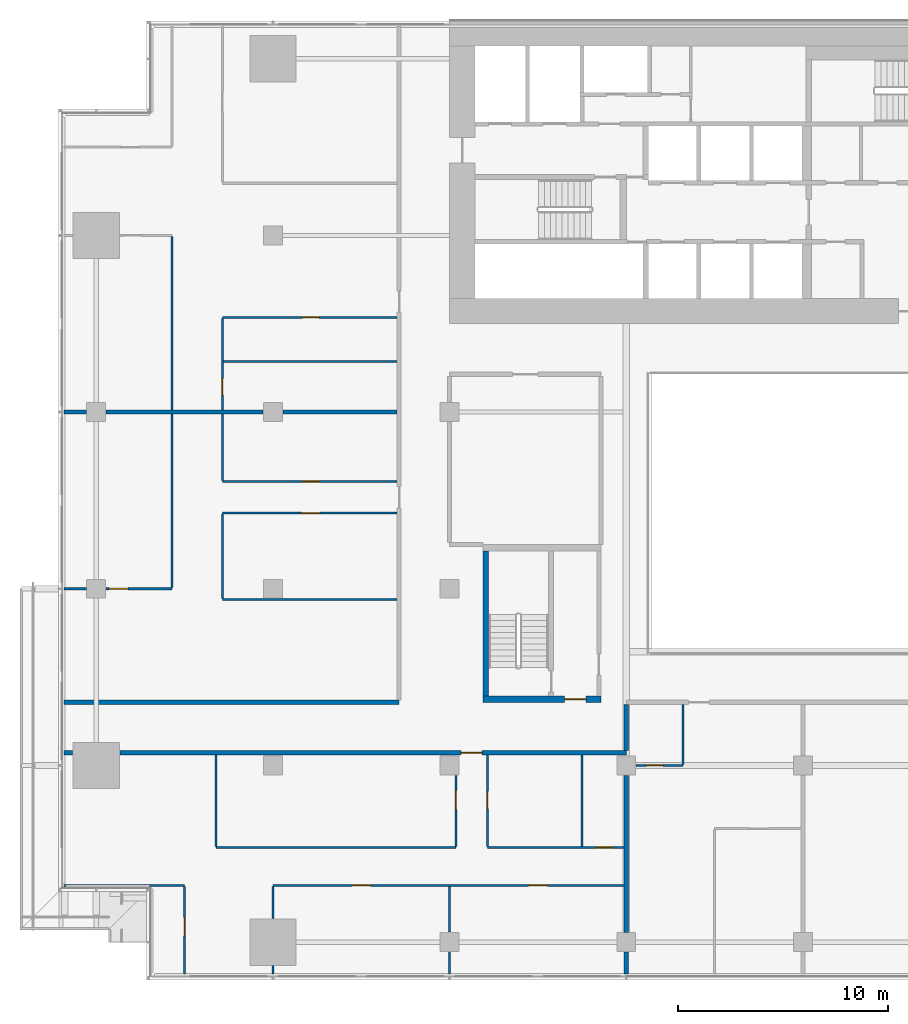
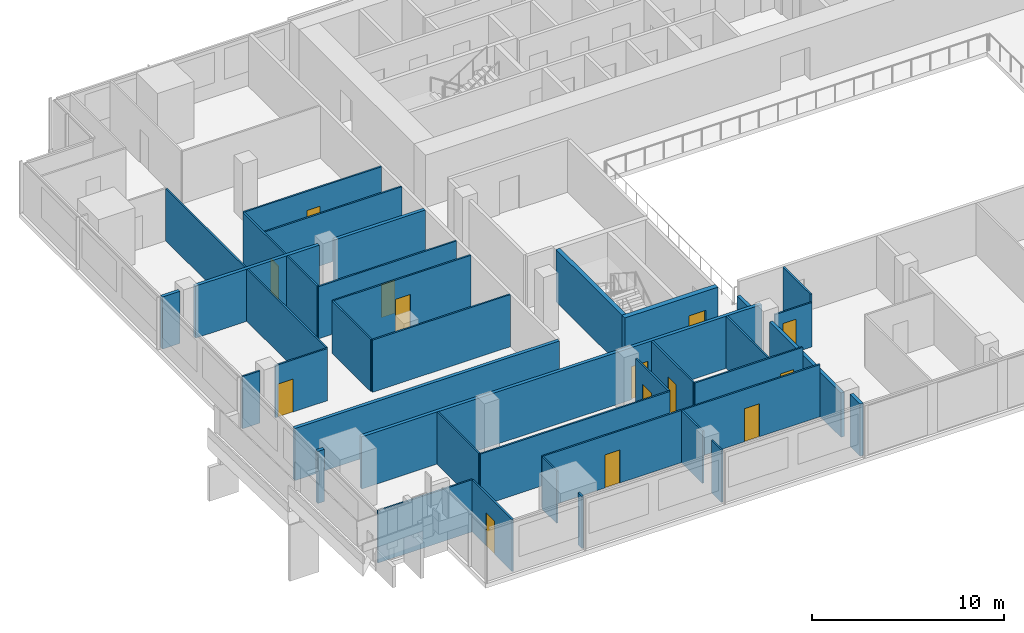
# One storey, part 16 of 27: 38 walls, 14 doors, 14 openings.
"""IFC4 building model written with IfcOpenShell, lengths in metres."""

from ifc_helpers import new_model, si_unit, direction, frame, frame_2d, origin, place, context, subcontext, project, spatial, rectangle, extrude, material, layer, layer_set, type_object, element, fill, save


model = new_model("IFC4")

# Units and contexts
model_context = context("Model", 3, precision=1e-05, world=origin(), true_north=direction((0.0, 1.0)))
body_context = subcontext(model_context, "Body", "Model", "MODEL_VIEW")
ifc_project = project(units=[si_unit("LENGTHUNIT", "METRE"), si_unit("AREAUNIT", "SQUARE_METRE"), si_unit("VOLUMEUNIT", "CUBIC_METRE"), si_unit("PLANEANGLEUNIT", "RADIAN"), si_unit("MASSUNIT", "GRAM", prefix="KILO")], contexts=[model_context])

# Site, building, storey
site_placement = place(None, origin())
site = spatial("IfcSite", under=ifc_project, at=site_placement, CompositionType="ELEMENT")
building_placement = place(site_placement, origin())
building = spatial("IfcBuilding", under=site, at=building_placement, Name="Saffron Gate Tower", CompositionType="ELEMENT")
storey_placement = place(building_placement, frame((0.0, 0.0, 76.800048828125)))
storey = spatial("IfcBuildingStorey", under=building, at=storey_placement, Name="L18", CompositionType="ELEMENT", Elevation=76.800048828125)

# Wall
ifc_material_1 = material(Name="Concrete C70", Category="concrete")
ifc_layer_1 = layer(ifc_material_1, 0.25)
ifc_layer_set_1 = layer_set([ifc_layer_1], Name="CW2 RC core wall 250 C70")
wall_type_1 = type_object("IfcWallType", Name="CW2 RC core wall 250 C70", PredefinedType="SOLIDWALL", material=ifc_layer_set_1)
wall_1_placement = place(storey_placement, frame((68.324951171875, 43.5, 0.0), z_axis=(0.0, 0.0, 1.0), x_axis=(0.0, 1.0, 0.0)))
element("IfcWall", 1, at=wall_1_placement, inside=storey, type_object=wall_type_1, Name="Wall CW2-L18-D-2", PredefinedType="SOLIDWALL", context=body_context, shape_type="SweptSolid", body=[
    extrude(rectangle(XDim=6.89990234375, YDim=0.25, at=frame_2d((3.449951171875, 0.0))), origin(), (0.0, 0.0, 1.0), 3.320068359375),
])

# Wall, opening, door
ifc_layer_2 = layer(ifc_material_1, 0.300048828125)
ifc_layer_set_2 = layer_set([ifc_layer_2], Name="CW5 RC core wall 300 C70")
wall_type_2 = type_object("IfcWallType", Name="CW5 RC core wall 300 C70", PredefinedType="SOLIDWALL", material=ifc_layer_set_2)
wall_2_placement = place(storey_placement, frame((68.199951171875, 43.35009765625, 0.0), z_axis=(0.0, 0.0, 1.0), x_axis=(1.0, 0.0, 0.0)))
wall_2 = element("IfcWall", 2, at=wall_2_placement, inside=storey, type_object=wall_type_2, Name="Wall CW5-L18-D-1", PredefinedType="SOLIDWALL", context=body_context, shape_type="SweptSolid", body=[
    extrude(rectangle(XDim=5.60009765625, YDim=0.300048828125, at=frame_2d((2.800048828125, 0.0))), origin(), (0.0, 0.0, 1.0), 3.320068359375),
])
opening_1_placement = place(wall_2_placement, frame((3.875, 0.0, 0.0)))
opening_1 = element("IfcOpeningElement", 3, at=opening_1_placement, cuts=wall_2, Name="Opening CR-18", PredefinedType="OPENING", context=body_context, shape_type="SweptSolid", body=[
    extrude(rectangle(XDim=1.0, YDim=2.10009765625, at=frame_2d((0.5, 1.050048828125))), frame((0.0, 0.16015625, 0.0), z_axis=(0.0, -1.0, 0.0), x_axis=(1.0, 0.0, 0.0)), (0.0, 0.0, 1.0), 0.320068359375),
])
ifc_material_2 = material(Name="Steel fire door set", Category="steel")
door_type_1 = type_object("IfcDoorType", Name="CD4 Lobby door 1000x2100 EI 120", OperationType="NOTDEFINED", PredefinedType="DOOR", material=ifc_material_2)
door_1_placement = place(opening_1_placement, origin())
door_1 = element("IfcDoor", 4, at=door_1_placement, inside=storey, type_object=door_type_1, Name="DOOR CR-18", OperationType="SINGLE_SWING_RIGHT", OverallHeight=2.10009765625, OverallWidth=1.0, PredefinedType="DOOR", context=body_context, shape_type="SweptSolid", body=[
    extrude(rectangle(XDim=1.0, YDim=2.10009765625, at=frame_2d((0.5, 1.050048828125))), frame((0.0, 0.02490234375, 0.0), z_axis=(0.0, -1.0, 0.0), x_axis=(1.0, 0.0, 0.0)), (0.0, 0.0, 1.0), 0.050048828125),
])
fill(opening_1, door_1)

# Wall
ifc_material_3 = material(Name="Plasterboard on steel studs", Category="steel")
ifc_layer_3 = layer(ifc_material_3, 0.10009765625)
ifc_layer_set_3 = layer_set([ifc_layer_3], Name="PW1 Partition 100")
wall_type_3 = type_object("IfcWallType", Name="PW1 Partition 100", PredefinedType="PARTITIONING", material=ifc_layer_set_3)
wall_3_placement = place(storey_placement, frame((48.280029296875, 34.5, 0.0), z_axis=(0.0, 0.0, 1.0), x_axis=(1.0, 0.0, 0.0)))
element("IfcWall", 5, at=wall_3_placement, inside=storey, type_object=wall_type_3, Name="Partition A4-1", PredefinedType="PARTITIONING", context=body_context, shape_type="SweptSolid", body=[
    extrude(rectangle(XDim=5.719970703125, YDim=0.10009765625, at=frame_2d((2.85986328125, 0.0))), origin(), (0.0, 0.0, 1.0), 3.320068359375),
])

# Wall, openings, doors
wall_4_placement = place(storey_placement, frame((74.89990234375, 34.5, 0.0), z_axis=(0.0, 0.0, 1.0), x_axis=(-1.0, 0.0, 0.0)))
wall_4 = element("IfcWall", 6, at=wall_4_placement, inside=storey, type_object=wall_type_3, Name="Partition A4-2", PredefinedType="PARTITIONING", context=body_context, shape_type="SweptSolid", body=[
    extrude(rectangle(XDim=16.699951171875, YDim=0.10009765625, at=frame_2d((8.35009765625, 0.0))), origin(), (0.0, 0.0, 1.0), 3.320068359375),
])
opening_2_placement = place(wall_4_placement, frame((3.64990234375, 0.0, 0.0)))
opening_2 = element("IfcOpeningElement", 7, at=opening_2_placement, cuts=wall_4, Name="Opening A4-11", PredefinedType="OPENING", context=body_context, shape_type="SweptSolid", body=[
    extrude(rectangle(XDim=0.89990234375, YDim=2.10009765625, at=frame_2d((0.449951171875, 1.050048828125))), frame((0.0, 0.06005859375, 0.0), z_axis=(0.0, -1.0, 0.0), x_axis=(1.0, 0.0, 0.0)), (0.0, 0.0, 1.0), 0.1201171875),
])
opening_3_placement = place(wall_4_placement, frame((12.050048828125, 0.0, 0.0)))
opening_3 = element("IfcOpeningElement", 8, at=opening_3_placement, cuts=wall_4, Name="Opening A4-10", PredefinedType="OPENING", context=body_context, shape_type="SweptSolid", body=[
    extrude(rectangle(XDim=0.89990234375, YDim=2.10009765625, at=frame_2d((0.449951171875, 1.050048828125))), frame((0.0, 0.06005859375, 0.0), z_axis=(0.0, -1.0, 0.0), x_axis=(1.0, 0.0, 0.0)), (0.0, 0.0, 1.0), 0.1201171875),
])
ifc_material_4 = material(Name="Timber door set", Category="wood")
door_type_2 = type_object("IfcDoorType", Name="RD1 Room door 900x2100", OperationType="NOTDEFINED", PredefinedType="DOOR", material=ifc_material_4)
door_2_placement = place(opening_2_placement, origin())
door_2 = element("IfcDoor", 9, at=door_2_placement, inside=storey, type_object=door_type_2, Name="Door A4-11", OperationType="SINGLE_SWING_LEFT", OverallHeight=2.10009765625, OverallWidth=0.89990234375, PredefinedType="DOOR", context=body_context, shape_type="SweptSolid", body=[
    extrude(rectangle(XDim=0.89990234375, YDim=2.10009765625, at=frame_2d((0.449951171875, 1.050048828125))), frame((0.0, 0.02490234375, 0.0), z_axis=(0.0, -1.0, 0.0), x_axis=(1.0, 0.0, 0.0)), (0.0, 0.0, 1.0), 0.050048828125),
])
fill(opening_2, door_2)
door_3_placement = place(opening_3_placement, origin())
door_3 = element("IfcDoor", 10, at=door_3_placement, inside=storey, type_object=door_type_2, Name="Door A4-10", OperationType="SINGLE_SWING_RIGHT", OverallHeight=2.10009765625, OverallWidth=0.89990234375, PredefinedType="DOOR", context=body_context, shape_type="SweptSolid", body=[
    extrude(rectangle(XDim=0.89990234375, YDim=2.10009765625, at=frame_2d((0.449951171875, 1.050048828125))), frame((0.0, 0.02490234375, 0.0), z_axis=(0.0, -1.0, 0.0), x_axis=(1.0, 0.0, 0.0)), (0.0, 0.0, 1.0), 0.050048828125),
])
fill(opening_3, door_3)

# Wall
wall_5_placement = place(storey_placement, frame((55.5, 36.300048828125, 0.0), z_axis=(0.0, 0.0, 1.0), x_axis=(1.0, 0.0, 0.0)))
element("IfcWall", 11, at=wall_5_placement, inside=storey, type_object=wall_type_3, Name="Partition A4-4", PredefinedType="PARTITIONING", context=body_context, shape_type="SweptSolid", body=[
    extrude(rectangle(XDim=11.39990234375, YDim=0.10009765625, at=frame_2d((5.699951171875, 0.0))), origin(), (0.0, 0.0, 1.0), 3.320068359375),
])

# Wall, opening, door
wall_6_placement = place(storey_placement, frame((68.39990234375, 36.300048828125, 0.0), z_axis=(0.0, 0.0, 1.0), x_axis=(1.0, 0.0, 0.0)))
wall_6 = element("IfcWall", 12, at=wall_6_placement, inside=storey, type_object=wall_type_3, Name="Partition A4-5", PredefinedType="PARTITIONING", context=body_context, shape_type="SweptSolid", body=[
    extrude(rectangle(XDim=6.5, YDim=0.10009765625, at=frame_2d((3.25, 0.0))), origin(), (0.0, 0.0, 1.0), 3.320068359375),
])
opening_4_placement = place(wall_6_placement, frame((5.14990234375, 0.0, 0.0)))
opening_4 = element("IfcOpeningElement", 13, at=opening_4_placement, cuts=wall_6, Name="Opening A4-35", PredefinedType="OPENING", context=body_context, shape_type="SweptSolid", body=[
    extrude(rectangle(XDim=0.800048828125, YDim=2.10009765625, at=frame_2d((0.39990234375, 1.050048828125))), frame((0.0, 0.06005859375, 0.0), z_axis=(0.0, -1.0, 0.0), x_axis=(1.0, 0.0, 0.0)), (0.0, 0.0, 1.0), 0.1201171875),
])
door_type_3 = type_object("IfcDoorType", Name="RD2 Bathroom door 800x2100", OperationType="NOTDEFINED", PredefinedType="DOOR", material=ifc_material_4)
door_4_placement = place(opening_4_placement, origin())
door_4 = element("IfcDoor", 14, at=door_4_placement, inside=storey, type_object=door_type_3, Name="Door A4-35", OperationType="SINGLE_SWING_RIGHT", OverallHeight=2.10009765625, OverallWidth=0.800048828125, PredefinedType="DOOR", context=body_context, shape_type="SweptSolid", body=[
    extrude(rectangle(XDim=0.800048828125, YDim=2.10009765625, at=frame_2d((0.39990234375, 1.050048828125))), frame((0.0, 0.02490234375, 0.0), z_axis=(0.0, -1.0, 0.0), x_axis=(1.0, 0.0, 0.0)), (0.0, 0.0, 1.0), 0.050048828125),
])
fill(opening_4, door_4)

wall_7_placement = place(storey_placement, frame((75.469970703125, 40.199951171875, 0.0), z_axis=(0.0, 0.0, 1.0), x_axis=(1.0, 0.0, 0.0)))
wall_7 = element("IfcWall", 15, at=wall_7_placement, inside=storey, type_object=wall_type_3, Name="Partition A4-9", PredefinedType="PARTITIONING", context=body_context, shape_type="SweptSolid", body=[
    extrude(rectangle(XDim=2.22998046875, YDim=0.10009765625, at=frame_2d((1.114990234375, 0.0))), origin(), (0.0, 0.0, 1.0), 2.829833984375),
])
opening_5_placement = place(wall_7_placement, frame((0.47998046875, 0.0, 0.0)))
opening_5 = element("IfcOpeningElement", 16, at=opening_5_placement, cuts=wall_7, Name="Opening A4-36", PredefinedType="OPENING", context=body_context, shape_type="SweptSolid", body=[
    extrude(rectangle(XDim=0.800048828125, YDim=2.10009765625, at=frame_2d((0.39990234375, 1.050048828125))), frame((0.0, 0.06005859375, 0.0), z_axis=(0.0, -1.0, 0.0), x_axis=(1.0, 0.0, 0.0)), (0.0, 0.0, 1.0), 0.1201171875),
])
door_5_placement = place(opening_5_placement, origin())
door_5 = element("IfcDoor", 17, at=door_5_placement, inside=storey, type_object=door_type_3, Name="Door A4-36", OperationType="SINGLE_SWING_LEFT", OverallHeight=2.10009765625, OverallWidth=0.800048828125, PredefinedType="DOOR", context=body_context, shape_type="SweptSolid", body=[
    extrude(rectangle(XDim=0.800048828125, YDim=2.10009765625, at=frame_2d((0.39990234375, 1.050048828125))), frame((0.0, 0.02490234375, 0.0), z_axis=(0.0, -1.0, 0.0), x_axis=(1.0, 0.0, 0.0)), (0.0, 0.0, 1.0), 0.050048828125),
])
fill(opening_5, door_5)

# Walls
wall_8_placement = place(storey_placement, frame((55.800048828125, 48.0810546875, 0.0), z_axis=(0.0, 0.0, 1.0), x_axis=(1.0, 0.0, 0.0)))
element("IfcWall", 18, at=wall_8_placement, inside=storey, type_object=wall_type_3, Name="Partition A4-18", PredefinedType="PARTITIONING", context=body_context, shape_type="SweptSolid", body=[
    extrude(rectangle(XDim=8.300048828125, YDim=0.10009765625, at=frame_2d((4.14990234375, 0.0))), origin(), (0.0, 0.0, 1.0), 3.320068359375),
])
wall_9_placement = place(storey_placement, frame((48.280029296875, 48.60009765625, 0.0), z_axis=(0.0, 0.0, 1.0), x_axis=(1.0, 0.0, 0.0)))
element("IfcWall", 19, at=wall_9_placement, inside=storey, type_object=wall_type_3, Name="Partition A4-19", PredefinedType="PARTITIONING", context=body_context, shape_type="SweptSolid", body=[
    extrude(rectangle(XDim=1.050048828125, YDim=0.10009765625, at=frame_2d((0.52490234375, 0.0))), origin(), (0.0, 0.0, 1.0), 3.320068359375),
])

# Wall, opening, door
wall_10_placement = place(storey_placement, frame((50.27001953125, 48.60009765625, 0.0), z_axis=(0.0, 0.0, 1.0), x_axis=(1.0, 0.0, 0.0)))
wall_10 = element("IfcWall", 20, at=wall_10_placement, inside=storey, type_object=wall_type_3, Name="Partition A4-20", PredefinedType="PARTITIONING", context=body_context, shape_type="SweptSolid", body=[
    extrude(rectangle(XDim=3.1298828125, YDim=0.10009765625, at=frame_2d((1.56494140625, 0.0))), origin(), (0.0, 0.0, 1.0), 3.320068359375),
])
opening_6_placement = place(wall_10_placement, frame((0.14990234375, 0.0, 0.0)))
opening_6 = element("IfcOpeningElement", 21, at=opening_6_placement, cuts=wall_10, Name="Opening A4-23", PredefinedType="OPENING", context=body_context, shape_type="SweptSolid", body=[
    extrude(rectangle(XDim=0.89990234375, YDim=2.10009765625, at=frame_2d((0.449951171875, 1.050048828125))), frame((0.0, 0.06005859375, 0.0), z_axis=(0.0, -1.0, 0.0), x_axis=(1.0, 0.0, 0.0)), (0.0, 0.0, 1.0), 0.1201171875),
])
door_6_placement = place(opening_6_placement, origin())
door_6 = element("IfcDoor", 22, at=door_6_placement, inside=storey, type_object=door_type_2, Name="Door A4-23", OperationType="SINGLE_SWING_LEFT", OverallHeight=2.10009765625, OverallWidth=0.89990234375, PredefinedType="DOOR", context=body_context, shape_type="SweptSolid", body=[
    extrude(rectangle(XDim=0.89990234375, YDim=2.10009765625, at=frame_2d((0.449951171875, 1.050048828125))), frame((0.0, 0.02490234375, 0.0), z_axis=(0.0, -1.0, 0.0), x_axis=(1.0, 0.0, 0.0)), (0.0, 0.0, 1.0), 0.050048828125),
])
fill(opening_6, door_6)

wall_11_placement = place(storey_placement, frame((64.10009765625, 52.199951171875, 0.0), z_axis=(0.0, 0.0, 1.0), x_axis=(-1.0, 0.0, 0.0)))
wall_11 = element("IfcWall", 23, at=wall_11_placement, inside=storey, type_object=wall_type_3, Name="Partition A4-25", PredefinedType="PARTITIONING", context=body_context, shape_type="SweptSolid", body=[
    extrude(rectangle(XDim=8.300048828125, YDim=0.10009765625, at=frame_2d((4.14990234375, 0.0))), origin(), (0.0, 0.0, 1.0), 3.320068359375),
])
opening_7_placement = place(wall_11_placement, frame((3.64990234375, 0.0, 0.0)))
opening_7 = element("IfcOpeningElement", 24, at=opening_7_placement, cuts=wall_11, Name="Opening A4-24", PredefinedType="OPENING", context=body_context, shape_type="SweptSolid", body=[
    extrude(rectangle(XDim=0.89990234375, YDim=2.10009765625, at=frame_2d((0.449951171875, 1.050048828125))), frame((0.0, 0.06005859375, 0.0), z_axis=(0.0, -1.0, 0.0), x_axis=(1.0, 0.0, 0.0)), (0.0, 0.0, 1.0), 0.1201171875),
])
door_7_placement = place(opening_7_placement, origin())
door_7 = element("IfcDoor", 25, at=door_7_placement, inside=storey, type_object=door_type_2, Name="Door A4-24", OperationType="SINGLE_SWING_LEFT", OverallHeight=2.10009765625, OverallWidth=0.89990234375, PredefinedType="DOOR", context=body_context, shape_type="SweptSolid", body=[
    extrude(rectangle(XDim=0.89990234375, YDim=2.10009765625, at=frame_2d((0.449951171875, 1.050048828125))), frame((0.0, 0.02490234375, 0.0), z_axis=(0.0, -1.0, 0.0), x_axis=(1.0, 0.0, 0.0)), (0.0, 0.0, 1.0), 0.050048828125),
])
fill(opening_7, door_7)

wall_12_placement = place(storey_placement, frame((55.800048828125, 53.699951171875, 0.0), z_axis=(0.0, 0.0, 1.0), x_axis=(1.0, 0.0, 0.0)))
wall_12 = element("IfcWall", 26, at=wall_12_placement, inside=storey, type_object=wall_type_3, Name="Partition A4-26", PredefinedType="PARTITIONING", context=body_context, shape_type="SweptSolid", body=[
    extrude(rectangle(XDim=8.300048828125, YDim=0.10009765625, at=frame_2d((4.14990234375, 0.0))), origin(), (0.0, 0.0, 1.0), 3.320068359375),
])
opening_8_placement = place(wall_12_placement, frame((3.800048828125, 0.0, 0.0)))
opening_8 = element("IfcOpeningElement", 27, at=opening_8_placement, cuts=wall_12, Name="Opening A4-40", PredefinedType="OPENING", context=body_context, shape_type="SweptSolid", body=[
    extrude(rectangle(XDim=0.800048828125, YDim=2.10009765625, at=frame_2d((0.39990234375, 1.050048828125))), frame((0.0, 0.06005859375, 0.0), z_axis=(0.0, -1.0, 0.0), x_axis=(1.0, 0.0, 0.0)), (0.0, 0.0, 1.0), 0.1201171875),
])
door_8_placement = place(opening_8_placement, origin())
door_8 = element("IfcDoor", 28, at=door_8_placement, inside=storey, type_object=door_type_3, Name="Door A4-40", OperationType="SINGLE_SWING_RIGHT", OverallHeight=2.10009765625, OverallWidth=0.800048828125, PredefinedType="DOOR", context=body_context, shape_type="SweptSolid", body=[
    extrude(rectangle(XDim=0.800048828125, YDim=2.10009765625, at=frame_2d((0.39990234375, 1.050048828125))), frame((0.0, 0.02490234375, 0.0), z_axis=(0.0, -1.0, 0.0), x_axis=(1.0, 0.0, 0.0)), (0.0, 0.0, 1.0), 0.050048828125),
])
fill(opening_8, door_8)

# Wall
wall_13_placement = place(storey_placement, frame((55.85009765625, 59.39990234375, 0.0), z_axis=(0.0, 0.0, 1.0), x_axis=(1.0, 0.0, 0.0)))
element("IfcWall", 29, at=wall_13_placement, inside=storey, type_object=wall_type_3, Name="Partition A4-38", PredefinedType="PARTITIONING", context=body_context, shape_type="SweptSolid", body=[
    extrude(rectangle(XDim=8.25, YDim=0.10009765625, at=frame_2d((4.125, 0.0))), origin(), (0.0, 0.0, 1.0), 3.320068359375),
])

# Wall, opening, door
wall_14_placement = place(storey_placement, frame((64.10009765625, 61.5, 0.0), z_axis=(0.0, 0.0, 1.0), x_axis=(-1.0, 0.0, 0.0)))
wall_14 = element("IfcWall", 30, at=wall_14_placement, inside=storey, type_object=wall_type_3, Name="Partition A4-39", PredefinedType="PARTITIONING", context=body_context, shape_type="SweptSolid", body=[
    extrude(rectangle(XDim=8.300048828125, YDim=0.10009765625, at=frame_2d((4.14990234375, 0.0))), origin(), (0.0, 0.0, 1.0), 3.320068359375),
])
opening_9_placement = place(wall_14_placement, frame((3.699951171875, 0.0, 0.0)))
opening_9 = element("IfcOpeningElement", 31, at=opening_9_placement, cuts=wall_14, Name="Opening A4-42", PredefinedType="OPENING", context=body_context, shape_type="SweptSolid", body=[
    extrude(rectangle(XDim=0.800048828125, YDim=2.10009765625, at=frame_2d((0.39990234375, 1.050048828125))), frame((0.0, 0.06005859375, 0.0), z_axis=(0.0, -1.0, 0.0), x_axis=(1.0, 0.0, 0.0)), (0.0, 0.0, 1.0), 0.1201171875),
])
door_9_placement = place(opening_9_placement, origin())
door_9 = element("IfcDoor", 32, at=door_9_placement, inside=storey, type_object=door_type_3, Name="Door A4-42", OperationType="SINGLE_SWING_LEFT", OverallHeight=2.10009765625, OverallWidth=0.800048828125, PredefinedType="DOOR", context=body_context, shape_type="SweptSolid", body=[
    extrude(rectangle(XDim=0.800048828125, YDim=2.10009765625, at=frame_2d((0.39990234375, 1.050048828125))), frame((0.0, 0.02490234375, 0.0), z_axis=(0.0, -1.0, 0.0), x_axis=(1.0, 0.0, 0.0)), (0.0, 0.0, 1.0), 0.050048828125),
])
fill(opening_9, door_9)

wall_15_placement = place(storey_placement, frame((54.0, 30.280029296875, 0.0), z_axis=(0.0, 0.0, 1.0), x_axis=(0.0, 1.0, 0.0)))
wall_15 = element("IfcWall", 33, at=wall_15_placement, inside=storey, type_object=wall_type_3, Name="Partition A4-51", PredefinedType="PARTITIONING", context=body_context, shape_type="SweptSolid", body=[
    extrude(rectangle(XDim=4.169921875, YDim=0.10009765625, at=frame_2d((2.0849609375, 0.0))), origin(), (0.0, 0.0, 1.0), 3.320068359375),
])
opening_10_placement = place(wall_15_placement, frame((1.802734375, 0.0, 0.0)))
opening_10 = element("IfcOpeningElement", 34, at=opening_10_placement, cuts=wall_15, Name="Opening A4-9", PredefinedType="OPENING", context=body_context, shape_type="SweptSolid", body=[
    extrude(rectangle(XDim=0.89990234375, YDim=2.10009765625, at=frame_2d((0.449951171875, 1.050048828125))), frame((0.0, 0.06005859375, 0.0), z_axis=(0.0, -1.0, 0.0), x_axis=(1.0, 0.0, 0.0)), (0.0, 0.0, 1.0), 0.1201171875),
])
door_10_placement = place(opening_10_placement, origin())
door_10 = element("IfcDoor", 35, at=door_10_placement, inside=storey, type_object=door_type_2, Name="Door A4-9", OperationType="SINGLE_SWING_RIGHT", OverallHeight=2.10009765625, OverallWidth=0.89990234375, PredefinedType="DOOR", context=body_context, shape_type="SweptSolid", body=[
    extrude(rectangle(XDim=0.89990234375, YDim=2.10009765625, at=frame_2d((0.449951171875, 1.050048828125))), frame((0.0, 0.02490234375, 0.0), z_axis=(0.0, -1.0, 0.0), x_axis=(1.0, 0.0, 0.0)), (0.0, 0.0, 1.0), 0.050048828125),
])
fill(opening_10, door_10)

# Walls
wall_16_placement = place(storey_placement, frame((55.5, 40.699951171875, 0.0), z_axis=(0.0, 0.0, 1.0), x_axis=(0.0, -1.0, 0.0)))
element("IfcWall", 36, at=wall_16_placement, inside=storey, type_object=wall_type_3, Name="Partition A4-52", PredefinedType="PARTITIONING", context=body_context, shape_type="SweptSolid", body=[
    extrude(rectangle(XDim=4.349853515625, YDim=0.10009765625, at=frame_2d((2.1748046875, 0.0))), origin(), (0.0, 0.0, 1.0), 3.320068359375),
])
wall_17_placement = place(storey_placement, frame((55.800048828125, 52.14990234375, 0.0), z_axis=(0.0, 0.0, 1.0), x_axis=(0.0, -1.0, 0.0)))
element("IfcWall", 37, at=wall_17_placement, inside=storey, type_object=wall_type_3, Name="Partition A4-53", PredefinedType="PARTITIONING", context=body_context, shape_type="SweptSolid", body=[
    extrude(rectangle(XDim=4.018798828125, YDim=0.10009765625, at=frame_2d((2.00927734375, 0.0))), origin(), (0.0, 0.0, 1.0), 3.320068359375),
])
wall_18_placement = place(storey_placement, frame((58.199951171875, 30.679931640625, 0.0), z_axis=(0.0, 0.0, 1.0), x_axis=(0.0, -1.0, 0.0)))
element("IfcWall", 38, at=wall_18_placement, inside=storey, type_object=wall_type_3, Name="Partition A4-55", PredefinedType="PARTITIONING", context=body_context, shape_type="SweptSolid", body=[
    extrude(rectangle(XDim=0.39990234375, YDim=0.10009765625, at=frame_2d((0.199951171875, 0.0))), origin(), (0.0, 0.0, 1.0), 3.320068359375),
])
wall_19_placement = place(storey_placement, frame((58.199951171875, 34.449951171875, 0.0), z_axis=(0.0, 0.0, 1.0), x_axis=(0.0, -1.0, 0.0)))
element("IfcWall", 39, at=wall_19_placement, inside=storey, type_object=wall_type_3, Name="Partition A4-56", PredefinedType="PARTITIONING", context=body_context, shape_type="SweptSolid", body=[
    extrude(rectangle(XDim=1.530029296875, YDim=0.10009765625, at=frame_2d((0.76513671875, 0.0))), origin(), (0.0, 0.0, 1.0), 3.320068359375),
])
wall_20_placement = place(storey_placement, frame((66.60009765625, 31.330078125, 0.0), z_axis=(0.0, 0.0, 1.0), x_axis=(0.0, -1.0, 0.0)))
element("IfcWall", 40, at=wall_20_placement, inside=storey, type_object=wall_type_3, Name="Partition A4-60", PredefinedType="PARTITIONING", context=body_context, shape_type="SweptSolid", body=[
    extrude(rectangle(XDim=1.050048828125, YDim=0.10009765625, at=frame_2d((0.52490234375, 0.0))), origin(), (0.0, 0.0, 1.0), 3.320068359375),
])
wall_21_placement = place(storey_placement, frame((66.60009765625, 34.449951171875, 0.0), z_axis=(0.0, 0.0, 1.0), x_axis=(0.0, -1.0, 0.0)))
element("IfcWall", 41, at=wall_21_placement, inside=storey, type_object=wall_type_3, Name="Partition A4-61", PredefinedType="PARTITIONING", context=body_context, shape_type="SweptSolid", body=[
    extrude(rectangle(XDim=2.179931640625, YDim=0.10009765625, at=frame_2d((1.08984375, 0.0))), origin(), (0.0, 0.0, 1.0), 3.320068359375),
])

# Wall, opening, door
wall_22_placement = place(storey_placement, frame((66.89990234375, 36.35009765625, 0.0), z_axis=(0.0, 0.0, 1.0), x_axis=(0.0, 1.0, 0.0)))
wall_22 = element("IfcWall", 42, at=wall_22_placement, inside=storey, type_object=wall_type_3, Name="Partition A4-62", PredefinedType="PARTITIONING", context=body_context, shape_type="SweptSolid", body=[
    extrude(rectangle(XDim=3.3798828125, YDim=0.10009765625, at=frame_2d((1.68994140625, 0.0))), origin(), (0.0, 0.0, 1.0), 3.320068359375),
])
opening_11_placement = place(wall_22_placement, frame((1.75, 0.0, 0.0)))
opening_11 = element("IfcOpeningElement", 43, at=opening_11_placement, cuts=wall_22, Name="Opening A4-12", PredefinedType="OPENING", context=body_context, shape_type="SweptSolid", body=[
    extrude(rectangle(XDim=0.89990234375, YDim=2.10009765625, at=frame_2d((0.449951171875, 1.050048828125))), frame((0.0, 0.06005859375, 0.0), z_axis=(0.0, -1.0, 0.0), x_axis=(1.0, 0.0, 0.0)), (0.0, 0.0, 1.0), 0.1201171875),
])
door_11_placement = place(opening_11_placement, origin())
door_11 = element("IfcDoor", 44, at=door_11_placement, inside=storey, type_object=door_type_2, Name="Door A4-12", OperationType="SINGLE_SWING_RIGHT", OverallHeight=2.10009765625, OverallWidth=0.89990234375, PredefinedType="DOOR", context=body_context, shape_type="SweptSolid", body=[
    extrude(rectangle(XDim=0.89990234375, YDim=2.10009765625, at=frame_2d((0.449951171875, 1.050048828125))), frame((0.0, 0.02490234375, 0.0), z_axis=(0.0, -1.0, 0.0), x_axis=(1.0, 0.0, 0.0)), (0.0, 0.0, 1.0), 0.050048828125),
])
fill(opening_11, door_11)

wall_23_placement = place(storey_placement, frame((68.39990234375, 40.699951171875, 0.0), z_axis=(0.0, 0.0, 1.0), x_axis=(0.0, -1.0, 0.0)))
wall_23 = element("IfcWall", 45, at=wall_23_placement, inside=storey, type_object=wall_type_3, Name="Partition A4-63", PredefinedType="PARTITIONING", context=body_context, shape_type="SweptSolid", body=[
    extrude(rectangle(XDim=4.349853515625, YDim=0.10009765625, at=frame_2d((2.1748046875, 0.0))), origin(), (0.0, 0.0, 1.0), 3.320068359375),
])
opening_12_placement = place(wall_23_placement, frame((1.75, 0.0, 0.0)))
opening_12 = element("IfcOpeningElement", 46, at=opening_12_placement, cuts=wall_23, Name="Opening A4-34", PredefinedType="OPENING", context=body_context, shape_type="SweptSolid", body=[
    extrude(rectangle(XDim=0.800048828125, YDim=2.10009765625, at=frame_2d((0.39990234375, 1.050048828125))), frame((0.0, 0.06005859375, 0.0), z_axis=(0.0, -1.0, 0.0), x_axis=(1.0, 0.0, 0.0)), (0.0, 0.0, 1.0), 0.1201171875),
])
door_12_placement = place(opening_12_placement, origin())
door_12 = element("IfcDoor", 47, at=door_12_placement, inside=storey, type_object=door_type_3, Name="Door A4-34", OperationType="SINGLE_SWING_LEFT", OverallHeight=2.10009765625, OverallWidth=0.800048828125, PredefinedType="DOOR", context=body_context, shape_type="SweptSolid", body=[
    extrude(rectangle(XDim=0.800048828125, YDim=2.10009765625, at=frame_2d((0.39990234375, 1.050048828125))), frame((0.0, 0.02490234375, 0.0), z_axis=(0.0, -1.0, 0.0), x_axis=(1.0, 0.0, 0.0)), (0.0, 0.0, 1.0), 0.050048828125),
])
fill(opening_12, door_12)

# Walls
wall_24_placement = place(storey_placement, frame((72.89990234375, 40.699951171875, 0.0), z_axis=(0.0, 0.0, 1.0), x_axis=(0.0, -1.0, 0.0)))
element("IfcWall", 48, at=wall_24_placement, inside=storey, type_object=wall_type_3, Name="Partition A4-64", PredefinedType="PARTITIONING", context=body_context, shape_type="SweptSolid", body=[
    extrude(rectangle(XDim=4.349853515625, YDim=0.10009765625, at=frame_2d((2.1748046875, 0.0))), origin(), (0.0, 0.0, 1.0), 3.320068359375),
])
wall_25_placement = place(storey_placement, frame((77.699951171875, 43.10009765625, 0.0), z_axis=(0.0, 0.0, 1.0), x_axis=(0.0, -1.0, 0.0)))
element("IfcWall", 49, at=wall_25_placement, inside=storey, type_object=wall_type_3, Name="Partition A4-69", PredefinedType="PARTITIONING", context=body_context, shape_type="SweptSolid", body=[
    extrude(rectangle(XDim=2.85009765625, YDim=0.10009765625, at=frame_2d((1.425048828125, 0.0))), origin(), (0.0, 0.0, 1.0), 3.320068359375),
])
for number, where, z_axis, x_axis, name in (
    (50, (53.39990234375, 56.89990234375, 0.0), (0.0, 0.0, 1.0), (0.0, -1.0, 0.0), "Partition A4-105"),
    (51, (53.39990234375, 65.35009765625, 0.0), (0.0, 0.0, 1.0), (0.0, -1.0, 0.0), "Partition A4-106"),
):
    element("IfcWall", number, at=place(storey_placement, frame(where, z_axis=z_axis, x_axis=x_axis)), inside=storey, type_object=wall_type_3, Name=name, PredefinedType="PARTITIONING", context=body_context, shape_type="SweptSolid", body=[
        extrude(rectangle(XDim=8.25, YDim=0.10009765625, at=frame_2d((4.125, 0.0))), origin(), (0.0, 0.0, 1.0), 3.320068359375),
    ])
wall_26_placement = place(storey_placement, frame((55.800048828125, 56.89990234375, 0.0), z_axis=(0.0, 0.0, 1.0), x_axis=(0.0, -1.0, 0.0)))
element("IfcWall", 52, at=wall_26_placement, inside=storey, type_object=wall_type_3, Name="Partition A4-107", PredefinedType="PARTITIONING", context=body_context, shape_type="SweptSolid", body=[
    extrude(rectangle(XDim=3.14990234375, YDim=0.10009765625, at=frame_2d((1.574951171875, 0.0))), origin(), (0.0, 0.0, 1.0), 3.320068359375),
])

# Wall, opening, door
wall_27_placement = place(storey_placement, frame((55.800048828125, 61.449951171875, 0.0), z_axis=(0.0, 0.0, 1.0), x_axis=(0.0, -1.0, 0.0)))
wall_27 = element("IfcWall", 53, at=wall_27_placement, inside=storey, type_object=wall_type_3, Name="Partition A4-108", PredefinedType="PARTITIONING", context=body_context, shape_type="SweptSolid", body=[
    extrude(rectangle(XDim=4.349853515625, YDim=0.10009765625, at=frame_2d((2.1748046875, 0.0))), origin(), (0.0, 0.0, 1.0), 3.320068359375),
])
opening_13_placement = place(wall_27_placement, frame((2.85009765625, 0.0, 0.0)))
opening_13 = element("IfcOpeningElement", 54, at=opening_13_placement, cuts=wall_27, Name="Opening A4-41", PredefinedType="OPENING", context=body_context, shape_type="SweptSolid", body=[
    extrude(rectangle(XDim=0.800048828125, YDim=2.10009765625, at=frame_2d((0.39990234375, 1.050048828125))), frame((0.0, 0.06005859375, 0.0), z_axis=(0.0, -1.0, 0.0), x_axis=(1.0, 0.0, 0.0)), (0.0, 0.0, 1.0), 0.1201171875),
])
door_13_placement = place(opening_13_placement, origin())
door_13 = element("IfcDoor", 55, at=door_13_placement, inside=storey, type_object=door_type_3, Name="Door A4-41", OperationType="SINGLE_SWING_RIGHT", OverallHeight=2.10009765625, OverallWidth=0.800048828125, PredefinedType="DOOR", context=body_context, shape_type="SweptSolid", body=[
    extrude(rectangle(XDim=0.800048828125, YDim=2.10009765625, at=frame_2d((0.39990234375, 1.050048828125))), frame((0.0, 0.02490234375, 0.0), z_axis=(0.0, -1.0, 0.0), x_axis=(1.0, 0.0, 0.0)), (0.0, 0.0, 1.0), 0.050048828125),
])
fill(opening_13, door_13)

# Walls
ifc_material_5 = material(Name="Clay brick masonry, rendered", Category="masonry")
ifc_layer_4 = layer(ifc_material_5, 0.199951171875)
ifc_layer_set_4 = layer_set([ifc_layer_4], Name="PW2 Demising wall 200")
wall_type_4 = type_object("IfcWallType", Name="PW2 Demising wall 200", PredefinedType="PARTITIONING", material=ifc_layer_set_4)
wall_28_placement = place(storey_placement, frame((48.280029296875, 57.0, 0.0), z_axis=(0.0, 0.0, 1.0), x_axis=(1.0, 0.0, 0.0)))
element("IfcWall", 56, at=wall_28_placement, inside=storey, type_object=wall_type_4, Name="Wall A4-30", PredefinedType="PARTITIONING", context=body_context, shape_type="SweptSolid", body=[
    extrude(rectangle(XDim=1.050048828125, YDim=0.199951171875, at=frame_2d((0.52490234375, 0.0))), origin(), (0.0, 0.0, 1.0), 3.320068359375),
])
wall_29_placement = place(storey_placement, frame((50.27001953125, 57.0, 0.0), z_axis=(0.0, 0.0, 1.0), x_axis=(1.0, 0.0, 0.0)))
element("IfcWall", 57, at=wall_29_placement, inside=storey, type_object=wall_type_4, Name="Wall A4-31", PredefinedType="PARTITIONING", context=body_context, shape_type="SweptSolid", body=[
    extrude(rectangle(XDim=7.4599609375, YDim=0.199951171875, at=frame_2d((3.72998046875, 0.0))), origin(), (0.0, 0.0, 1.0), 3.320068359375),
])
wall_30_placement = place(storey_placement, frame((58.669921875, 57.0, 0.0), z_axis=(0.0, 0.0, 1.0), x_axis=(1.0, 0.0, 0.0)))
element("IfcWall", 58, at=wall_30_placement, inside=storey, type_object=wall_type_4, Name="Wall A4-32", PredefinedType="PARTITIONING", context=body_context, shape_type="SweptSolid", body=[
    extrude(rectangle(XDim=5.43017578125, YDim=0.199951171875, at=frame_2d((2.715087890625, 0.0))), origin(), (0.0, 0.0, 1.0), 3.320068359375),
])
wall_31_placement = place(storey_placement, frame((75.0, 31.330078125, 0.0), z_axis=(0.0, 0.0, 1.0), x_axis=(0.0, -1.0, 0.0)))
element("IfcWall", 59, at=wall_31_placement, inside=storey, type_object=wall_type_4, Name="Wall A4-67", PredefinedType="PARTITIONING", context=body_context, shape_type="SweptSolid", body=[
    extrude(rectangle(XDim=1.050048828125, YDim=0.199951171875, at=frame_2d((0.52490234375, 0.0))), origin(), (0.0, 0.0, 1.0), 3.320068359375),
])
wall_32_placement = place(storey_placement, frame((75.0, 39.72998046875, 0.0), z_axis=(0.0, 0.0, 1.0), x_axis=(0.0, -1.0, 0.0)))
element("IfcWall", 60, at=wall_32_placement, inside=storey, type_object=wall_type_4, Name="Wall A4-68", PredefinedType="PARTITIONING", context=body_context, shape_type="SweptSolid", body=[
    extrude(rectangle(XDim=7.4599609375, YDim=0.199951171875, at=frame_2d((3.72998046875, 0.0))), origin(), (0.0, 0.0, 1.0), 2.829833984375),
])
ifc_layer_5 = layer(ifc_material_5, 0.199951171875)
ifc_layer_set_5 = layer_set([ifc_layer_5], Name="PW3 Corridor wall 200")
wall_type_5 = type_object("IfcWallType", Name="PW3 Corridor wall 200", PredefinedType="PARTITIONING", material=ifc_layer_set_5)
wall_33_placement = place(storey_placement, frame((48.280029296875, 40.800048828125, 0.0), z_axis=(0.0, 0.0, 1.0), x_axis=(1.0, 0.0, 0.0)))
element("IfcWall", 61, at=wall_33_placement, inside=storey, type_object=wall_type_5, Name="Wall A4-10", PredefinedType="PARTITIONING", context=body_context, shape_type="SweptSolid", body=[
    extrude(rectangle(XDim=0.39990234375, YDim=0.199951171875, at=frame_2d((0.199951171875, 0.0))), origin(), (0.0, 0.0, 1.0), 3.320068359375),
])

# Wall, opening, door
wall_34_placement = place(storey_placement, frame((75.0, 40.800048828125, 0.0), z_axis=(0.0, 0.0, 1.0), x_axis=(-1.0, 0.0, 0.0)))
wall_34 = element("IfcWall", 62, at=wall_34_placement, inside=storey, type_object=wall_type_5, Name="Wall A4-11", PredefinedType="PARTITIONING", context=body_context, shape_type="SweptSolid", body=[
    extrude(rectangle(XDim=24.080078125, YDim=0.199951171875, at=frame_2d((12.0400390625, 0.0))), origin(), (0.0, 0.0, 1.0), 3.320068359375),
])
opening_14_placement = place(wall_34_placement, frame((6.85009765625, 0.0, 0.0)))
opening_14 = element("IfcOpeningElement", 63, at=opening_14_placement, cuts=wall_34, Name="Opening A4-1", PredefinedType="OPENING", context=body_context, shape_type="SweptSolid", body=[
    extrude(rectangle(XDim=1.0, YDim=2.10009765625, at=frame_2d((0.5, 1.050048828125))), frame((0.0, 0.10986328125, 0.0), z_axis=(0.0, -1.0, 0.0), x_axis=(1.0, 0.0, 0.0)), (0.0, 0.0, 1.0), 0.219970703125),
])
ifc_material_6 = material(Name="Timber fire door set", Category="wood")
door_type_4 = type_object("IfcDoorType", Name="FD1 Flat entry door 1000x2100", OperationType="NOTDEFINED", PredefinedType="DOOR", material=ifc_material_6)
door_14_placement = place(opening_14_placement, origin())
door_14 = element("IfcDoor", 64, at=door_14_placement, inside=storey, type_object=door_type_4, Name="Door A4-1", OperationType="SINGLE_SWING_LEFT", OverallHeight=2.10009765625, OverallWidth=1.0, PredefinedType="DOOR", context=body_context, shape_type="SweptSolid", body=[
    extrude(rectangle(XDim=1.0, YDim=2.10009765625, at=frame_2d((0.5, 1.050048828125))), frame((0.0, 0.02490234375, 0.0), z_axis=(0.0, -1.0, 0.0), x_axis=(1.0, 0.0, 0.0)), (0.0, 0.0, 1.0), 0.050048828125),
])
fill(opening_14, door_14)

# Walls
wall_35_placement = place(storey_placement, frame((48.280029296875, 43.199951171875, 0.0), z_axis=(0.0, 0.0, 1.0), x_axis=(1.0, 0.0, 0.0)))
element("IfcWall", 65, at=wall_35_placement, inside=storey, type_object=wall_type_5, Name="Wall A4-14", PredefinedType="PARTITIONING", context=body_context, shape_type="SweptSolid", body=[
    extrude(rectangle(XDim=15.919921875, YDim=0.199951171875, at=frame_2d((7.9599609375, 0.0))), origin(), (0.0, 0.0, 1.0), 3.320068359375),
])
wall_36_placement = place(storey_placement, frame((75.0, 43.10009765625, 0.0), z_axis=(0.0, 0.0, 1.0), x_axis=(0.0, -1.0, 0.0)))
element("IfcWall", 66, at=wall_36_placement, inside=storey, type_object=wall_type_5, Name="Wall A4-66", PredefinedType="PARTITIONING", context=body_context, shape_type="SweptSolid", body=[
    extrude(rectangle(XDim=2.2001953125, YDim=0.199951171875, at=frame_2d((1.10009765625, 0.0))), origin(), (0.0, 0.0, 1.0), 2.429931640625),
])

save(model, "model.ifc")
